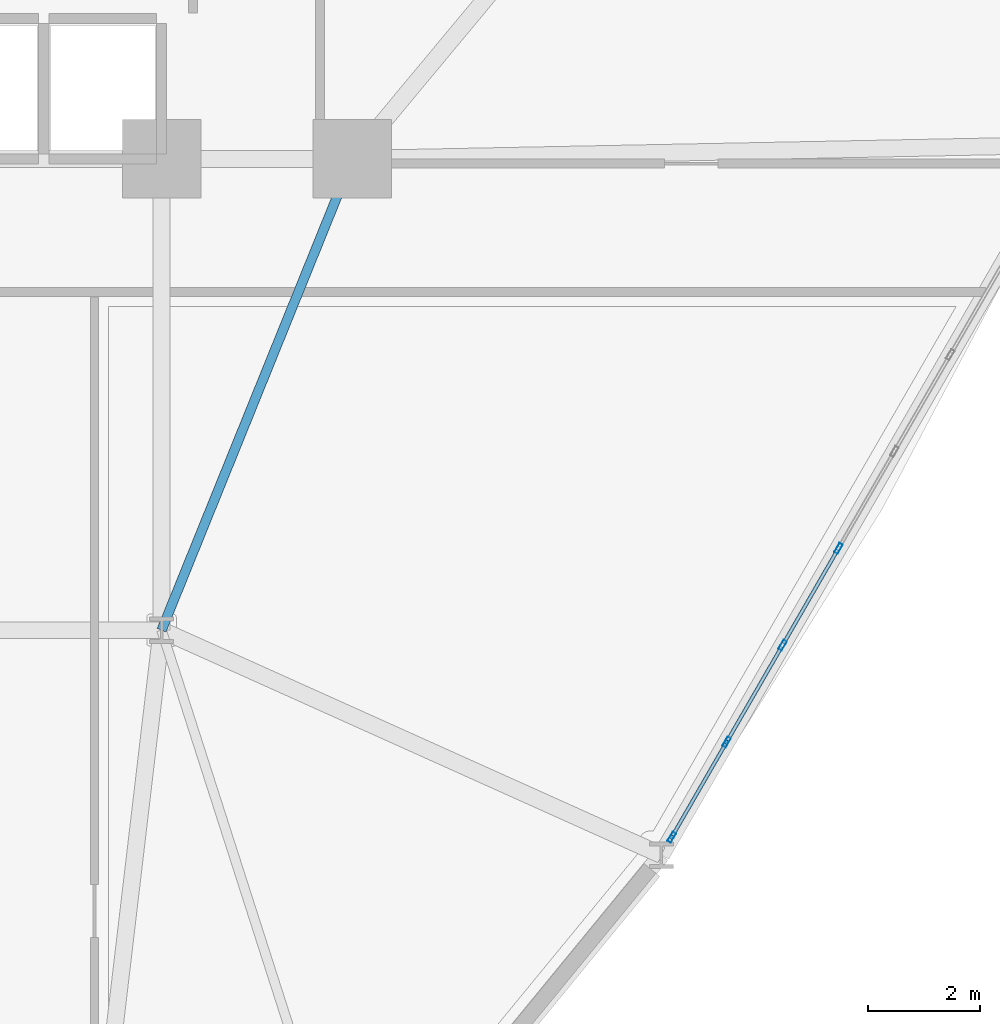
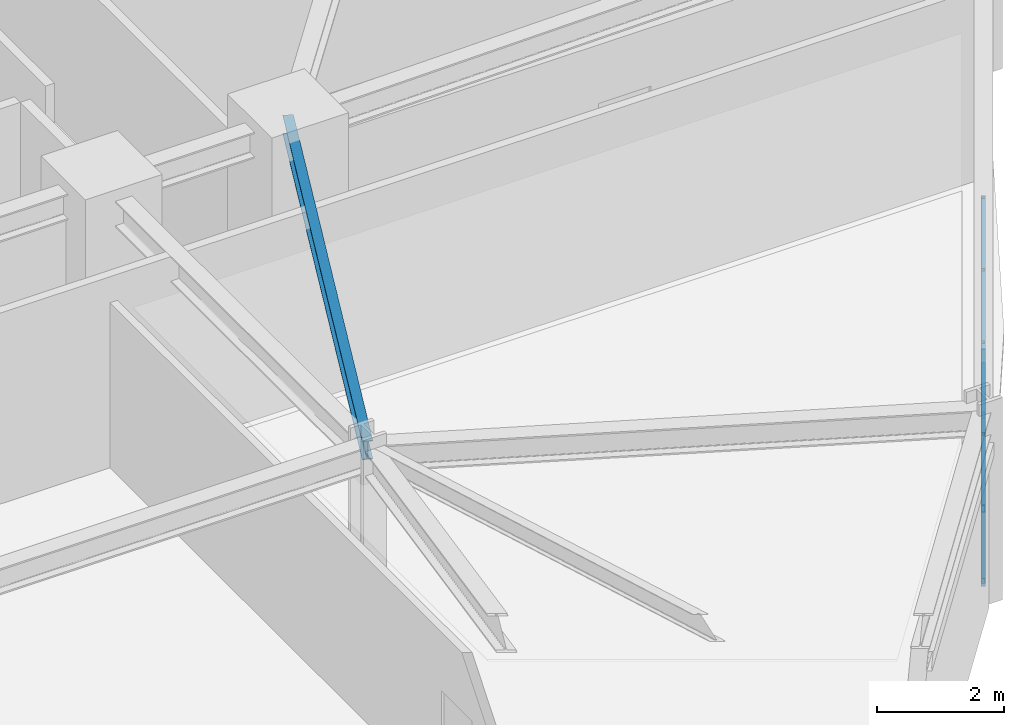
# One storey, part 6 of 20: 11 members, 1 beam, 1 element without a shape of its own.
"""IFC4 building model written with IfcOpenShell, lengths in metres."""

from ifc_helpers import new_model, si_unit, derived_unit, direction, frame, origin, origin_2d, place, context, subcontext, project, spatial, hollow_rectangle, i_section, extrude, source, transform, mapped, material, layer, layer_set, material_profile, profile_set, type_object, element, aggregate, save


model = new_model("IFC4")

# Units and contexts
model_context = context("Model", 3, precision=1e-05, world=origin(), true_north=direction((0.0, 1.0)))
body_context = subcontext(model_context, "Body", "Model", "MODEL_VIEW")
ifc_project = project(units=[si_unit("LENGTHUNIT", "METRE"), si_unit("AREAUNIT", "SQUARE_METRE"), si_unit("VOLUMEUNIT", "CUBIC_METRE"), si_unit("PLANEANGLEUNIT", "RADIAN"), si_unit("MASSUNIT", "GRAM", prefix="KILO"), derived_unit("THERMALTRANSMITTANCEUNIT", [(si_unit("POWERUNIT", "WATT"), 1), (si_unit("LENGTHUNIT", "METRE"), -2), (si_unit("THERMODYNAMICTEMPERATUREUNIT", "KELVIN"), -1)])], contexts=[model_context])

# Site, building, storey
site_placement = place(None, origin())
site = spatial("IfcSite", under=ifc_project, at=site_placement, CompositionType="ELEMENT")
building_placement = place(site_placement, origin())
building = spatial("IfcBuilding", under=site, at=building_placement, Name="Korsvarv Bourse and Concert Hall", CompositionType="ELEMENT")
storey_placement = place(building_placement, frame((0.0, 0.0, 87.300048828125)))
storey = spatial("IfcBuildingStorey", under=building, at=storey_placement, Name="L21", CompositionType="ELEMENT", Elevation=87.300048828125)

# Beam
ifc_material_1 = material(Name="Steel S355", Category="steel")
ifc_material_profile_1 = material_profile(ifc_material_1, i_section(OverallWidth=0.169921875, OverallDepth=0.360107421875, WebThickness=0.008056640625, FlangeThickness=0.0126953125, FilletRadius=0.01806640625, at=origin_2d()), Name="IPE 360")
ifc_profile_set_1 = profile_set([ifc_material_profile_1], Name="Steel S355")
beam_type = type_object("IfcBeamType", Name="BM-IPE360", PredefinedType="JOIST", material=ifc_profile_set_1)
shared_shape_1 = source(origin(), body_context, "Body", "SweptSolid", [
    extrude(i_section(OverallWidth=0.169921875, OverallDepth=0.360107421875, WebThickness=0.008056640625, FlangeThickness=0.0126953125, FilletRadius=0.01806640625, at=origin_2d()), origin(), (0.0, 0.0, 1.0), 9.06201171875),
])
beam_placement = place(storey_placement, frame((47.800048828125, 32.39990234375, 3.5), z_axis=(-0.375210394783, -0.926939674222, 0.0), x_axis=(0.926939674222, -0.375210394783, 0.0)))
element("IfcBeam", 1, at=beam_placement, inside=storey, type_object=beam_type, Name="L21 beam J-06", PredefinedType="JOIST", context=body_context, shape_type="MappedRepresentation", body=[
    mapped(shared_shape_1, transform((0.0, 0.0, 0.0), scale=1.0)),
])

# Curtain wall, members
ifc_material_2 = material(Name="Anodised aluminium and triple low-E glazing", Category="glass")
ifc_layer = layer(ifc_material_2, 0.219970703125)
ifc_layer_set = layer_set([ifc_layer], Name="Anodised aluminium and triple low-E glazing")
curtain_wall_type = type_object("IfcCurtainWallType", Name="CW-SYS-1", PredefinedType="NOTDEFINED", material=ifc_layer_set)
curtain_wall_placement = place(storey_placement, origin())
curtain_wall = element("IfcCurtainWall", 2, at=curtain_wall_placement, inside=storey, type_object=curtain_wall_type, Name="L21 CW1 curtain wall CW-L21-F11", PredefinedType="NOTDEFINED")
ifc_material_3 = material(Name="Extruded aluminium EN AW-6063 T66", Category="aluminium")
ifc_material_profile_2 = material_profile(ifc_material_3, hollow_rectangle(XDim=0.070068359375, YDim=0.18994140625, WallThickness=0.0048828125, at=origin_2d()), Name="ALU-M 70x190")
ifc_profile_set_2 = profile_set([ifc_material_profile_2], Name="Extruded aluminium EN AW-6063 T66")
member_type_1 = type_object("IfcMemberType", Name="CWM-190", PredefinedType="MULLION", material=ifc_profile_set_2)
shared_shape_2 = source(origin(), body_context, "Body", "SweptSolid", [
    extrude(hollow_rectangle(XDim=0.070068359375, YDim=0.18994140625, WallThickness=0.0048828125, at=origin_2d()), origin(), (0.0, 0.0, 1.0), 3.22998046875),
])
member_1_placement = place(storey_placement, frame((53.4931640625, 20.30859375, 0.0), z_axis=(0.0, 0.0, 1.0), x_axis=(-0.8660261613, 0.499998687942, 0.0)))
member_1 = element("IfcMember", 3, at=member_1_placement, type_object=member_type_1, Name="CW1 mullion 1", PredefinedType="MULLION", context=body_context, shape_type="MappedRepresentation", body=[
    mapped(shared_shape_2, transform((0.0, 0.0, 0.0), scale=1.0)),
])
member_2_placement = place(storey_placement, frame((54.472412109375, 22.0048828125, 0.0), z_axis=(0.0, 0.0, 1.0), x_axis=(-0.8660261613, 0.499998687942, 0.0)))
member_2 = element("IfcMember", 4, at=member_2_placement, type_object=member_type_1, Name="CW1 mullion 2", PredefinedType="MULLION", context=body_context, shape_type="MappedRepresentation", body=[
    mapped(shared_shape_2, transform((0.0, 0.0, 0.0), scale=1.0)),
])
member_3_placement = place(storey_placement, frame((55.46923828125, 23.7314453125, 0.0), z_axis=(0.0, 0.0, 1.0), x_axis=(-0.8660261613, 0.499998687942, 0.0)))
member_3 = element("IfcMember", 5, at=member_3_placement, type_object=member_type_1, Name="CW1 mullion 3", PredefinedType="MULLION", context=body_context, shape_type="MappedRepresentation", body=[
    mapped(shared_shape_2, transform((0.0, 0.0, 0.0), scale=1.0)),
])
member_4_placement = place(storey_placement, frame((56.466064453125, 25.457763671875, 0.0), z_axis=(0.0, 0.0, 1.0), x_axis=(-0.8660261613, 0.499998687942, 0.0)))
member_4 = element("IfcMember", 6, at=member_4_placement, type_object=member_type_1, Name="CW1 mullion 4", PredefinedType="MULLION", context=body_context, shape_type="MappedRepresentation", body=[
    mapped(shared_shape_2, transform((0.0, 0.0, 0.0), scale=1.0)),
])
ifc_material_profile_3 = material_profile(ifc_material_3, hollow_rectangle(XDim=0.06494140625, YDim=0.139892578125, WallThickness=0.00390625, at=origin_2d()), Name="ALU-T 65x140")
ifc_profile_set_3 = profile_set([ifc_material_profile_3], Name="Extruded aluminium EN AW-6063 T66")
member_type_2 = type_object("IfcMemberType", Name="CWT-140", PredefinedType="USERDEFINED", material=ifc_profile_set_3)
shared_shape_3 = source(origin(), body_context, "Body", "SweptSolid", [
    extrude(hollow_rectangle(XDim=0.06494140625, YDim=0.139892578125, WallThickness=0.00390625, at=origin_2d()), origin(), (0.0, 0.0, 1.0), 1.888671875),
])
member_5_placement = place(storey_placement, frame((53.510498046875, 20.3388671875, 0.032470703125), z_axis=(0.499976073514, 0.866039217307, 0.0), x_axis=(-0.866039217307, 0.499976073514, 0.0)))
member_5 = element("IfcMember", 7, at=member_5_placement, type_object=member_type_2, Name="CW1 transom 1.1", ObjectType="TRANSOM", PredefinedType="USERDEFINED", context=body_context, shape_type="MappedRepresentation", body=[
    mapped(shared_shape_3, transform((0.0, 0.0, 0.0), scale=1.0)),
])
member_6_placement = place(storey_placement, frame((53.510498046875, 20.3388671875, 3.197509765625), z_axis=(0.499976073514, 0.866039217307, 0.0), x_axis=(-0.866039217307, 0.499976073514, 0.0)))
member_6 = element("IfcMember", 8, at=member_6_placement, type_object=member_type_2, Name="CW1 transom 1.2", ObjectType="TRANSOM", PredefinedType="USERDEFINED", context=body_context, shape_type="MappedRepresentation", body=[
    mapped(shared_shape_3, transform((0.0, 0.0, 0.0), scale=1.0)),
])
ifc_material_profile_4 = material_profile(ifc_material_3, hollow_rectangle(XDim=0.06494140625, YDim=0.1650390625, WallThickness=0.0048828125, at=origin_2d()), Name="ALU-M 65x165")
ifc_profile_set_4 = profile_set([ifc_material_profile_4], Name="Extruded aluminium EN AW-6063 T66")
member_type_3 = type_object("IfcMemberType", Name="CWM-165", PredefinedType="MULLION", material=ifc_profile_set_4)
shared_shape_4 = source(origin(), body_context, "Body", "SweptSolid", [
    extrude(hollow_rectangle(XDim=0.06494140625, YDim=0.1650390625, WallThickness=0.0048828125, at=origin_2d()), origin(), (0.0, 0.0, 1.0), 3.630126953125),
])
member_7_placement = place(storey_placement, frame((53.510498046875, 20.3388671875, 0.06494140625), z_axis=(0.260136503608, 0.450598390427, 0.853984830096), x_axis=(-0.866039217307, 0.499976073514, 0.0)))
member_7 = element("IfcMember", 9, at=member_7_placement, type_object=member_type_3, Name="CW1 diagonal mullion 1", PredefinedType="MULLION", context=body_context, shape_type="MappedRepresentation", body=[
    mapped(shared_shape_4, transform((0.0, 0.0, 0.0), scale=1.0)),
])
shared_shape_5 = source(origin(), body_context, "Body", "SweptSolid", [
    extrude(hollow_rectangle(XDim=0.06494140625, YDim=0.139892578125, WallThickness=0.00390625, at=origin_2d()), origin(), (0.0, 0.0, 1.0), 1.92333984375),
])
member_8_placement = place(storey_placement, frame((54.489990234375, 22.03515625, 0.032470703125), z_axis=(0.499975164139, 0.866039742301, 0.0), x_axis=(-0.866039742301, 0.499975164139, 0.0)))
member_8 = element("IfcMember", 10, at=member_8_placement, type_object=member_type_2, Name="CW1 transom 2.1", ObjectType="TRANSOM", PredefinedType="USERDEFINED", context=body_context, shape_type="MappedRepresentation", body=[
    mapped(shared_shape_5, transform((0.0, 0.0, 0.0), scale=1.0)),
])
member_9_placement = place(storey_placement, frame((54.489990234375, 22.03515625, 3.197509765625), z_axis=(0.499975164139, 0.866039742301, 0.0), x_axis=(-0.866039742301, 0.499975164139, 0.0)))
member_9 = element("IfcMember", 11, at=member_9_placement, type_object=member_type_2, Name="CW1 transom 2.2", ObjectType="TRANSOM", PredefinedType="USERDEFINED", context=body_context, shape_type="MappedRepresentation", body=[
    mapped(shared_shape_5, transform((0.0, 0.0, 0.0), scale=1.0)),
])
member_10_placement = place(storey_placement, frame((55.48681640625, 23.76171875, 0.032470703125), z_axis=(0.499975164139, 0.866039742301, 0.0), x_axis=(-0.866039742301, 0.499975164139, 0.0)))
member_10 = element("IfcMember", 12, at=member_10_placement, type_object=member_type_2, Name="CW1 transom 3.1", ObjectType="TRANSOM", PredefinedType="USERDEFINED", context=body_context, shape_type="MappedRepresentation", body=[
    mapped(shared_shape_5, transform((0.0, 0.0, 0.0), scale=1.0)),
])
member_11_placement = place(storey_placement, frame((55.48681640625, 23.76171875, 3.197509765625), z_axis=(0.499975164139, 0.866039742301, 0.0), x_axis=(-0.866039742301, 0.499975164139, 0.0)))
member_11 = element("IfcMember", 13, at=member_11_placement, type_object=member_type_2, Name="CW1 transom 3.2", ObjectType="TRANSOM", PredefinedType="USERDEFINED", context=body_context, shape_type="MappedRepresentation", body=[
    mapped(shared_shape_5, transform((0.0, 0.0, 0.0), scale=1.0)),
])
aggregate(curtain_wall, [member_1, member_2, member_3, member_4, member_5, member_6, member_7, member_8, member_9, member_10, member_11])

save(model, "model.ifc")
